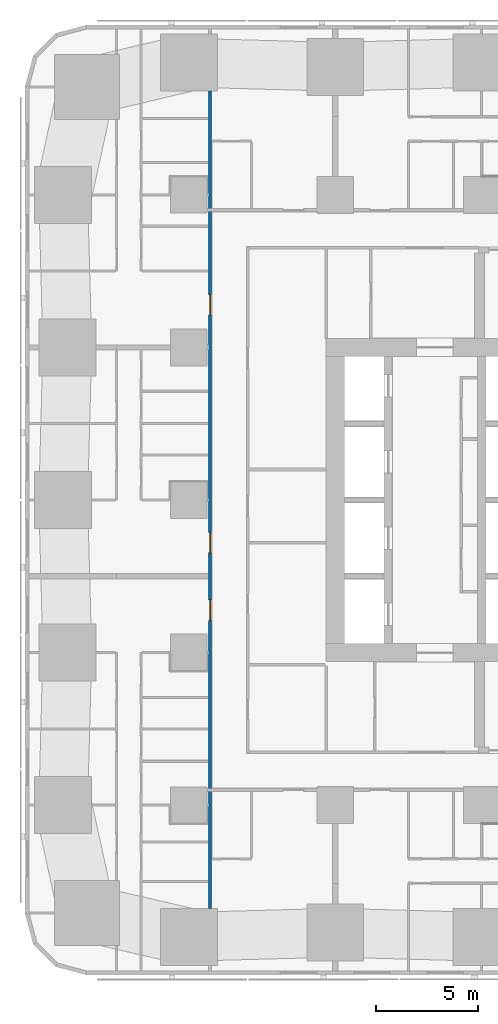
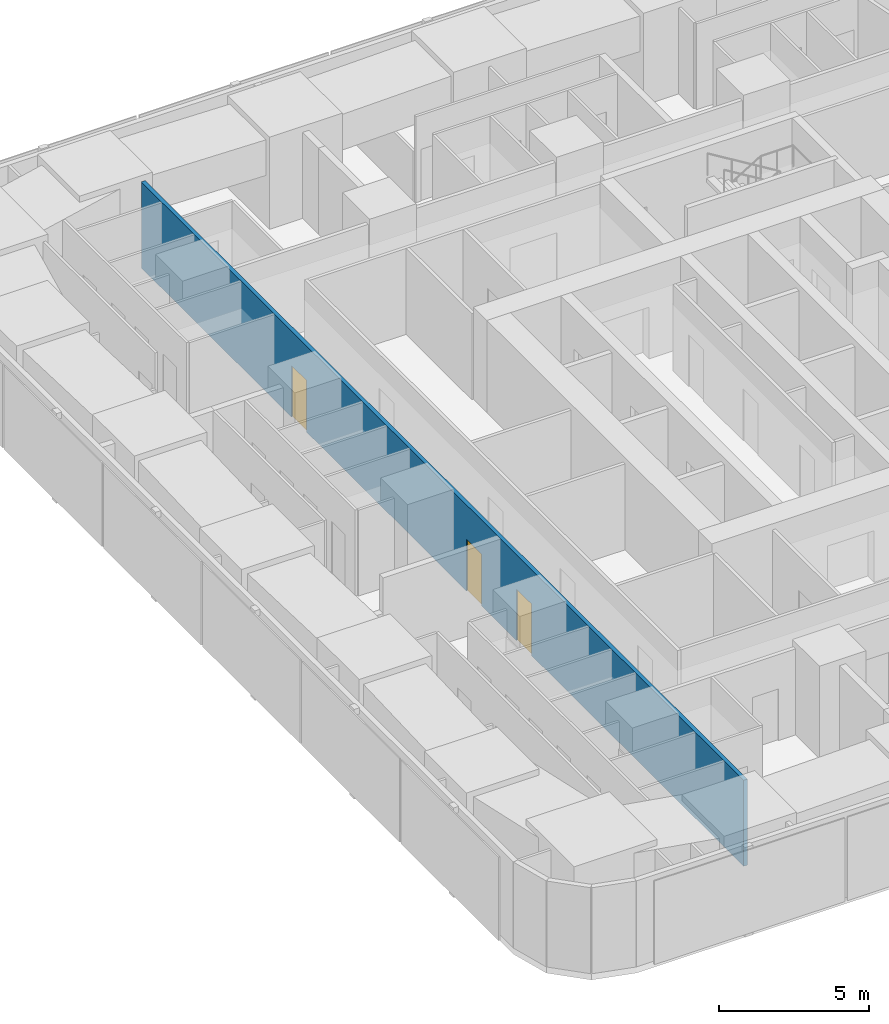
# One storey, part 6 of 18: 3 doors, 1 wall, 3 openings.
"""IFC4 building model written with IfcOpenShell, lengths in metres."""

from ifc_helpers import new_model, si_unit, direction, frame, frame_2d, origin, place, context, subcontext, project, spatial, rectangle, extrude, material, layer, layer_set, type_object, element, fill, save


model = new_model("IFC4")

# Units and contexts
model_context = context("Model", 3, precision=1e-05, world=origin(), true_north=direction((0.0, 1.0)))
body_context = subcontext(model_context, "Body", "Model", "MODEL_VIEW")
ifc_project = project(units=[si_unit("LENGTHUNIT", "METRE"), si_unit("AREAUNIT", "SQUARE_METRE"), si_unit("VOLUMEUNIT", "CUBIC_METRE"), si_unit("PLANEANGLEUNIT", "RADIAN"), si_unit("MASSUNIT", "GRAM", prefix="KILO")], contexts=[model_context])

# Site, building, storey
site_placement = place(None, origin())
site = spatial("IfcSite", under=ifc_project, at=site_placement, CompositionType="ELEMENT")
building_placement = place(site_placement, origin())
building = spatial("IfcBuilding", under=site, at=building_placement, Name="Sheger Commons Tower", CompositionType="ELEMENT")
storey_placement = place(building_placement, frame((0.0, 0.0, 31.25)))
storey = spatial("IfcBuildingStorey", under=building, at=storey_placement, Name="L07", CompositionType="ELEMENT", Elevation=31.25)

# Wall, openings, doors
ifc_material_1 = material(Name="Hollow concrete block masonry, skimmed both sides", Category="masonry")
ifc_layer = layer(ifc_material_1, 0.14990234375)
ifc_layer_set = layer_set([ifc_layer], Name="CORRIDOR WALL 150")
wall_type = type_object("IfcWallType", Name="CORRIDOR WALL 150", PredefinedType="SOLIDWALL", material=ifc_layer_set)
wall_placement = place(storey_placement, frame((8.25, 2.426025390625, 0.0), z_axis=(0.0, 0.0, 1.0), x_axis=(0.0, 1.0, 0.0)))
wall = element("IfcWall", 1, at=wall_placement, inside=storey, type_object=wall_type, Name="Corridor wall L07", PredefinedType="SOLIDWALL", context=body_context, shape_type="SweptSolid", body=[
    extrude(rectangle(XDim=40.173095703125, YDim=0.14990234375, at=frame_2d((20.08642578125, 0.0))), origin(), (0.0, 0.0, 1.0), 3.5),
])
opening_1_placement = place(wall_placement, frame((14.160888671875, 0.0, 0.0)))
opening_1 = element("IfcOpeningElement", 2, at=opening_1_placement, cuts=wall, Name="Opening D1", PredefinedType="OPENING", context=body_context, shape_type="SweptSolid", body=[
    extrude(rectangle(XDim=1.0, YDim=2.10009765625, at=frame_2d((0.5, 1.050048828125))), frame((0.0, 0.0849609375, 0.0), z_axis=(0.0, -1.0, 0.0), x_axis=(1.0, 0.0, 0.0)), (0.0, 0.0, 1.0), 0.169921875),
])
opening_2_placement = place(wall_placement, frame((17.487060546875, 0.0, 0.0)))
opening_2 = element("IfcOpeningElement", 3, at=opening_2_placement, cuts=wall, Name="Opening D1", PredefinedType="OPENING", context=body_context, shape_type="SweptSolid", body=[
    extrude(rectangle(XDim=1.0, YDim=2.10009765625, at=frame_2d((0.5, 1.050048828125))), frame((0.0, 0.0849609375, 0.0), z_axis=(0.0, -1.0, 0.0), x_axis=(1.0, 0.0, 0.0)), (0.0, 0.0, 1.0), 0.169921875),
])
opening_3_placement = place(wall_placement, frame((29.160888671875, 0.0, 0.0)))
opening_3 = element("IfcOpeningElement", 4, at=opening_3_placement, cuts=wall, Name="Opening D1", PredefinedType="OPENING", context=body_context, shape_type="SweptSolid", body=[
    extrude(rectangle(XDim=1.0, YDim=2.10009765625, at=frame_2d((0.5, 1.050048828125))), frame((0.0, 0.0849609375, 0.0), z_axis=(0.0, -1.0, 0.0), x_axis=(1.0, 0.0, 0.0)), (0.0, 0.0, 1.0), 0.169921875),
])
ifc_material_2 = material(Name="Steel door set, fire rated", Category="steel")
door_type = type_object("IfcDoorType", Name="FLAT ENTRANCE DOOR 1000x2100", OperationType="NOTDEFINED", PredefinedType="DOOR", material=ifc_material_2)
door_1_placement = place(opening_1_placement, origin())
door_1 = element("IfcDoor", 5, at=door_1_placement, inside=storey, type_object=door_type, Name="Flat entrance door", OperationType="SINGLE_SWING_RIGHT", OverallHeight=2.10009765625, OverallWidth=1.0, PredefinedType="DOOR", context=body_context, shape_type="SweptSolid", body=[
    extrude(rectangle(XDim=1.0, YDim=2.10009765625, at=frame_2d((0.5, 1.050048828125))), frame((0.0, 0.02490234375, 0.0), z_axis=(0.0, -1.0, 0.0), x_axis=(1.0, 0.0, 0.0)), (0.0, 0.0, 1.0), 0.050048828125),
])
fill(opening_1, door_1)
door_2_placement = place(opening_2_placement, origin())
door_2 = element("IfcDoor", 6, at=door_2_placement, inside=storey, type_object=door_type, Name="Flat entrance door", OperationType="SINGLE_SWING_LEFT", OverallHeight=2.10009765625, OverallWidth=1.0, PredefinedType="DOOR", context=body_context, shape_type="SweptSolid", body=[
    extrude(rectangle(XDim=1.0, YDim=2.10009765625, at=frame_2d((0.5, 1.050048828125))), frame((0.0, 0.02490234375, 0.0), z_axis=(0.0, -1.0, 0.0), x_axis=(1.0, 0.0, 0.0)), (0.0, 0.0, 1.0), 0.050048828125),
])
fill(opening_2, door_2)
door_3_placement = place(opening_3_placement, origin())
door_3 = element("IfcDoor", 7, at=door_3_placement, inside=storey, type_object=door_type, Name="Flat entrance door", OperationType="SINGLE_SWING_RIGHT", OverallHeight=2.10009765625, OverallWidth=1.0, PredefinedType="DOOR", context=body_context, shape_type="SweptSolid", body=[
    extrude(rectangle(XDim=1.0, YDim=2.10009765625, at=frame_2d((0.5, 1.050048828125))), frame((0.0, 0.02490234375, 0.0), z_axis=(0.0, -1.0, 0.0), x_axis=(1.0, 0.0, 0.0)), (0.0, 0.0, 1.0), 0.050048828125),
])
fill(opening_3, door_3)

save(model, "model.ifc")
